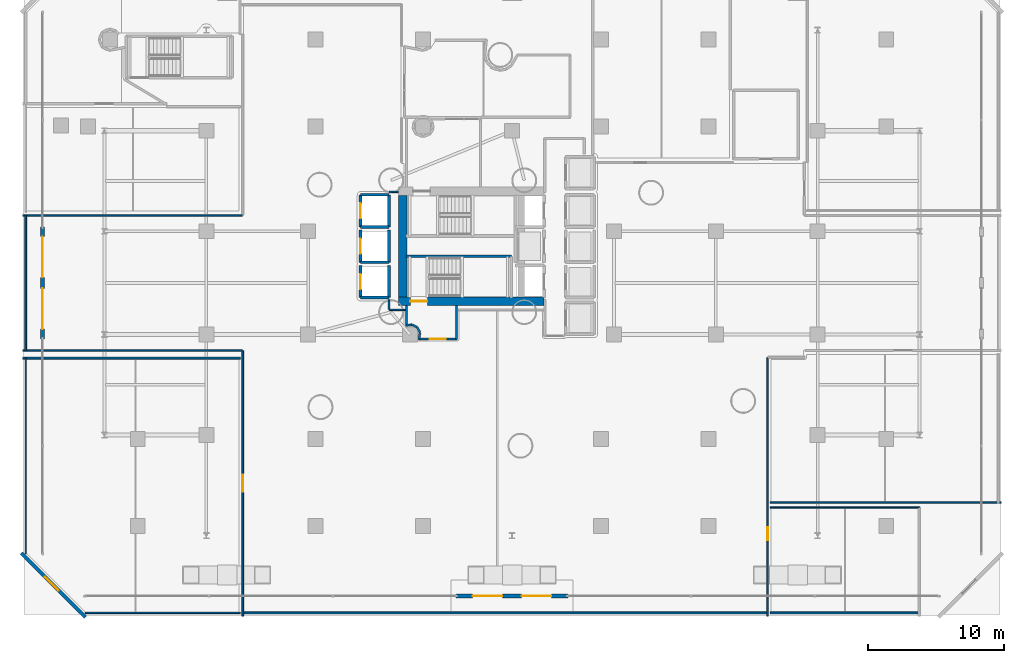
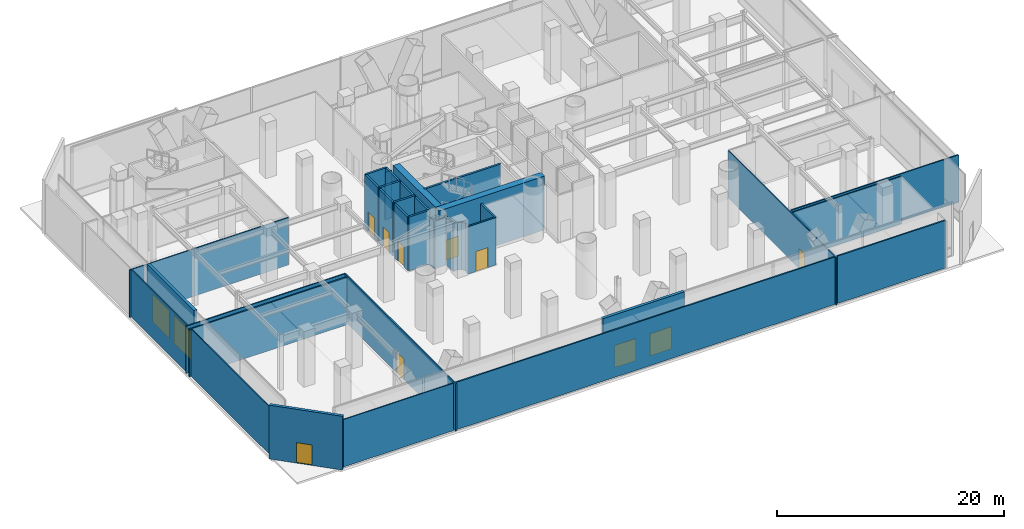
# One storey, part 28 of 40: 38 walls, 12 doors, 12 openings.
"""IFC4 building model written with IfcOpenShell, lengths in metres."""

from ifc_helpers import new_model, si_unit, direction, frame, frame_2d, origin, place, context, subcontext, project, spatial, rectangle, extrude, material, layer, layer_set, type_object, element, fill, save


model = new_model("IFC4")

# Units and contexts
model_context = context("Model", 3, precision=1e-05, world=origin(), true_north=direction((0.0, 1.0)))
body_context = subcontext(model_context, "Body", "Model", "MODEL_VIEW")
ifc_project = project(units=[si_unit("LENGTHUNIT", "METRE"), si_unit("AREAUNIT", "SQUARE_METRE"), si_unit("VOLUMEUNIT", "CUBIC_METRE"), si_unit("PLANEANGLEUNIT", "RADIAN"), si_unit("MASSUNIT", "GRAM", prefix="KILO")], contexts=[model_context])

# Site, building, storey
site_placement = place(None, origin())
site = spatial("IfcSite", under=ifc_project, at=site_placement, CompositionType="ELEMENT")
building_placement = place(site_placement, origin())
building = spatial("IfcBuilding", under=site, at=building_placement, Name="Qianvela Tower", CompositionType="ELEMENT")
storey_placement = place(building_placement, origin())
storey = spatial("IfcBuildingStorey", under=building, at=storey_placement, Name="L00", CompositionType="ELEMENT", Elevation=0.0)

# Wall, openings, doors
ifc_material_1 = material(Name="Terracotta Cladding on Concrete C40", Category="masonry")
ifc_layer_1 = layer(ifc_material_1, 0.280029296875)
ifc_layer_set_1 = layer_set([ifc_layer_1], Name="Terracotta Cladding on Concrete C40")
wall_type_1 = type_object("IfcWallType", Name="TERRACOTTA-WALL-280", PredefinedType="SOLIDWALL", material=ifc_layer_set_1)
wall_1_placement = place(storey_placement, frame((33.3701171875, 2.949951171875, 0.0), z_axis=(0.0, 0.0, 1.0), x_axis=(1.0, 0.0, 0.0)))
wall_1 = element("IfcWall", 1, at=wall_1_placement, inside=storey, type_object=wall_type_1, Name="L00 Concourse Entrance Portal Wall 1", PredefinedType="SOLIDWALL", context=body_context, shape_type="SweptSolid", body=[
    extrude(rectangle(XDim=8.259765625, YDim=0.280029296875, at=frame_2d((4.1298828125, 0.0))), origin(), (0.0, 0.0, 1.0), 5.780029296875),
])
opening_1_placement = place(wall_1_placement, frame((1.22998046875, 0.0, 0.0)))
opening_1 = element("IfcOpeningElement", 2, at=opening_1_placement, cuts=wall_1, Name="Opening ED-01", PredefinedType="OPENING", context=body_context, shape_type="SweptSolid", body=[
    extrude(rectangle(XDim=2.199951171875, YDim=2.39990234375, at=frame_2d((1.10009765625, 1.199951171875))), frame((0.0, 0.14990234375, 0.0), z_axis=(0.0, -1.0, 0.0), x_axis=(1.0, 0.0, 0.0)), (0.0, 0.0, 1.0), 0.300048828125),
])
opening_2_placement = place(wall_1_placement, frame((4.830078125, 0.0, 0.0)))
opening_2 = element("IfcOpeningElement", 3, at=opening_2_placement, cuts=wall_1, Name="Opening ED-01", PredefinedType="OPENING", context=body_context, shape_type="SweptSolid", body=[
    extrude(rectangle(XDim=2.199951171875, YDim=2.39990234375, at=frame_2d((1.10009765625, 1.199951171875))), frame((0.0, 0.14990234375, 0.0), z_axis=(0.0, -1.0, 0.0), x_axis=(1.0, 0.0, 0.0)), (0.0, 0.0, 1.0), 0.300048828125),
])
ifc_material_2 = material(Name="Thermally Broken Anodised Aluminium and Safety Glass", Category="aluminium")
door_type_1 = type_object("IfcDoorType", Name="DT-EXT-CONC-2200", OperationType="DOUBLE_DOOR_SINGLE_SWING", PredefinedType="DOOR", material=ifc_material_2)
door_1_placement = place(opening_1_placement, origin())
door_1 = element("IfcDoor", 4, at=door_1_placement, inside=storey, type_object=door_type_1, Name="L00 Street Concourse Main Entrance 1A", OperationType="DOUBLE_DOOR_SINGLE_SWING", OverallHeight=2.39990234375, OverallWidth=2.199951171875, PredefinedType="DOOR", context=body_context, shape_type="SweptSolid", body=[
    extrude(rectangle(XDim=2.199951171875, YDim=2.39990234375, at=frame_2d((1.10009765625, 1.199951171875))), frame((0.0, 0.02490234375, 0.0), z_axis=(0.0, -1.0, 0.0), x_axis=(1.0, 0.0, 0.0)), (0.0, 0.0, 1.0), 0.050048828125),
])
fill(opening_1, door_1)
door_2_placement = place(opening_2_placement, origin())
door_2 = element("IfcDoor", 5, at=door_2_placement, inside=storey, type_object=door_type_1, Name="L00 Street Concourse Main Entrance 1B", OperationType="DOUBLE_DOOR_SINGLE_SWING", OverallHeight=2.39990234375, OverallWidth=2.199951171875, PredefinedType="DOOR", context=body_context, shape_type="SweptSolid", body=[
    extrude(rectangle(XDim=2.199951171875, YDim=2.39990234375, at=frame_2d((1.10009765625, 1.199951171875))), frame((0.0, 0.02490234375, 0.0), z_axis=(0.0, -1.0, 0.0), x_axis=(1.0, 0.0, 0.0)), (0.0, 0.0, 1.0), 0.050048828125),
])
fill(opening_2, door_2)

wall_2_placement = place(storey_placement, frame((2.949951171875, 30.1298828125, 0.0), z_axis=(0.0, 0.0, 1.0), x_axis=(0.0, -1.0, 0.0)))
wall_2 = element("IfcWall", 6, at=wall_2_placement, inside=storey, type_object=wall_type_1, Name="L00 Concourse Entrance Portal Wall 7", PredefinedType="SOLIDWALL", context=body_context, shape_type="SweptSolid", body=[
    extrude(rectangle(XDim=8.259765625, YDim=0.280029296875, at=frame_2d((4.1298828125, 0.0))), origin(), (0.0, 0.0, 1.0), 5.780029296875),
])
opening_3_placement = place(wall_2_placement, frame((0.72998046875, 0.0, 0.0)))
opening_3 = element("IfcOpeningElement", 7, at=opening_3_placement, cuts=wall_2, Name="Opening GT-01", PredefinedType="OPENING", context=body_context, shape_type="SweptSolid", body=[
    extrude(rectangle(XDim=3.0, YDim=3.0, at=frame_2d((1.5, 1.5))), frame((0.0, 0.14990234375, 0.0), z_axis=(0.0, -1.0, 0.0), x_axis=(1.0, 0.0, 0.0)), (0.0, 0.0, 1.0), 0.300048828125),
])
opening_4_placement = place(wall_2_placement, frame((4.530029296875, 0.0, 0.0)))
opening_4 = element("IfcOpeningElement", 8, at=opening_4_placement, cuts=wall_2, Name="Opening GT-01", PredefinedType="OPENING", context=body_context, shape_type="SweptSolid", body=[
    extrude(rectangle(XDim=3.0, YDim=3.0, at=frame_2d((1.5, 1.5))), frame((0.0, 0.14990234375, 0.0), z_axis=(0.0, -1.0, 0.0), x_axis=(1.0, 0.0, 0.0)), (0.0, 0.0, 1.0), 0.300048828125),
])
ifc_material_3 = material(Name="Galvanised Structural Steel Q355B", Category="steel")
door_type_2 = type_object("IfcDoorType", Name="GT-CONC-FLOOD-3600", OperationType="SLIDING_TO_LEFT", PredefinedType="GATE", material=ifc_material_3)
door_3_placement = place(opening_3_placement, origin())
door_3 = element("IfcDoor", 9, at=door_3_placement, inside=storey, type_object=door_type_2, Name="L00 Service and Flood Barrier Gate 7.1", OperationType="SLIDING_TO_LEFT", OverallHeight=3.0, OverallWidth=3.0, PredefinedType="GATE", context=body_context, shape_type="SweptSolid", body=[
    extrude(rectangle(XDim=3.0, YDim=3.0, at=frame_2d((1.5, 1.5))), frame((0.0, 0.02490234375, 0.0), z_axis=(0.0, -1.0, 0.0), x_axis=(1.0, 0.0, 0.0)), (0.0, 0.0, 1.0), 0.050048828125),
])
fill(opening_3, door_3)
door_4_placement = place(opening_4_placement, origin())
door_4 = element("IfcDoor", 10, at=door_4_placement, inside=storey, type_object=door_type_2, Name="L00 Service and Flood Barrier Gate 7.2", OperationType="SLIDING_TO_LEFT", OverallHeight=3.0, OverallWidth=3.0, PredefinedType="GATE", context=body_context, shape_type="SweptSolid", body=[
    extrude(rectangle(XDim=3.0, YDim=3.0, at=frame_2d((1.5, 1.5))), frame((0.0, 0.02490234375, 0.0), z_axis=(0.0, -1.0, 0.0), x_axis=(1.0, 0.0, 0.0)), (0.0, 0.0, 1.0), 0.050048828125),
])
fill(opening_4, door_4)

# Wall, opening, door
wall_3_placement = place(storey_placement, frame((1.386962890625, 6.113037109375, 0.0), z_axis=(0.0, 0.0, 1.0), x_axis=(0.707106781187, -0.707106781187, 0.0)))
wall_3 = element("IfcWall", 11, at=wall_3_placement, inside=storey, type_object=wall_type_1, Name="L00 Terracotta Corner Wall 8", PredefinedType="SOLIDWALL", context=body_context, shape_type="SweptSolid", body=[
    extrude(rectangle(XDim=6.68359375, YDim=0.280029296875, at=frame_2d((3.341796875, 0.0))), origin(), (0.0, 0.0, 1.0), 5.780029296875),
])
opening_5_placement = place(wall_3_placement, frame((2.48193359375, 0.0, 0.0)))
opening_5 = element("IfcOpeningElement", 12, at=opening_5_placement, cuts=wall_3, Name="Opening ED-03", PredefinedType="OPENING", context=body_context, shape_type="SweptSolid", body=[
    extrude(rectangle(XDim=1.39990234375, YDim=2.199951171875, at=frame_2d((0.699951171875, 1.10009765625))), frame((0.0, 0.14990234375, 0.0), z_axis=(0.0, -1.0, 0.0), x_axis=(1.0, 0.0, 0.0)), (0.0, 0.0, 1.0), 0.300048828125),
])
ifc_material_4 = material(Name="Galvanised Insulated Steel Q355B", Category="steel")
door_type_3 = type_object("IfcDoorType", Name="DT-EXT-EXIT-1400", OperationType="NOTDEFINED", PredefinedType="DOOR", material=ifc_material_4)
door_5_placement = place(opening_5_placement, origin())
door_5 = element("IfcDoor", 13, at=door_5_placement, inside=storey, type_object=door_type_3, Name="L00 Street Exit Door 8", OperationType="DOUBLE_DOOR_SINGLE_SWING", OverallHeight=2.199951171875, OverallWidth=1.39990234375, PredefinedType="DOOR", context=body_context, shape_type="SweptSolid", body=[
    extrude(rectangle(XDim=1.39990234375, YDim=2.199951171875, at=frame_2d((0.699951171875, 1.10009765625))), frame((0.0, 0.02490234375, 0.0), z_axis=(0.0, -1.0, 0.0), x_axis=(1.0, 0.0, 0.0)), (0.0, 0.0, 1.0), 0.050048828125),
])
fill(opening_5, door_5)

ifc_material_5 = material(Name="Concrete C60", Category="concrete")
ifc_layer_2 = layer(ifc_material_5, 0.64990234375)
ifc_layer_set_2 = layer_set([ifc_layer_2], Name="Concrete C60")
wall_type_2 = type_object("IfcWallType", Name="WT-CORE-650", PredefinedType="SHEAR", material=ifc_layer_set_2)
wall_4_placement = place(storey_placement, frame((29.1298828125, 24.655029296875, 0.0), z_axis=(0.0, 0.0, 1.0), x_axis=(1.0, 0.0, 0.0)))
wall_4 = element("IfcWall", 14, at=wall_4_placement, inside=storey, type_object=wall_type_2, Name="L00 South Core Shear Wall", PredefinedType="SHEAR", context=body_context, shape_type="SweptSolid", body=[
    extrude(rectangle(XDim=10.72021484375, YDim=0.64990234375, at=frame_2d((5.360107421875, 0.0))), origin(), (0.0, 0.0, 1.0), 5.780029296875),
])
opening_6_placement = place(wall_4_placement, frame((0.89501953125, 0.0, 0.0)))
opening_6 = element("IfcOpeningElement", 15, at=opening_6_placement, cuts=wall_4, Name="Opening D-ST1", PredefinedType="OPENING", context=body_context, shape_type="SweptSolid", body=[
    extrude(rectangle(XDim=1.25, YDim=2.14990234375, at=frame_2d((0.625, 1.074951171875))), frame((0.0, 0.3349609375, 0.0), z_axis=(0.0, -1.0, 0.0), x_axis=(1.0, 0.0, 0.0)), (0.0, 0.0, 1.0), 0.669921875),
])
ifc_material_6 = material(Name="Galvanised Fire Steel Q355B", Category="steel")
door_type_4 = type_object("IfcDoorType", Name="DT-STAIR-FD90", OperationType="NOTDEFINED", PredefinedType="DOOR", material=ifc_material_6)
door_6_placement = place(opening_6_placement, origin())
door_6 = element("IfcDoor", 16, at=door_6_placement, inside=storey, type_object=door_type_4, Name="L00 Stair ST-2 Exit Door", OperationType="SINGLE_SWING_RIGHT", OverallHeight=2.14990234375, OverallWidth=1.25, PredefinedType="DOOR", context=body_context, shape_type="SweptSolid", body=[
    extrude(rectangle(XDim=1.25, YDim=2.14990234375, at=frame_2d((0.625, 1.074951171875))), frame((0.0, 0.02490234375, 0.0), z_axis=(0.0, -1.0, 0.0), x_axis=(1.0, 0.0, 0.0)), (0.0, 0.0, 1.0), 0.050048828125),
])
fill(opening_6, door_6)

# Walls
wall_5_placement = place(storey_placement, frame((29.455078125, 24.97998046875, 0.0), z_axis=(0.0, 0.0, 1.0), x_axis=(0.0, 1.0, 0.0)))
element("IfcWall", 17, at=wall_5_placement, inside=storey, type_object=wall_type_2, Name="L00 West Core Shear Wall", PredefinedType="SHEAR", context=body_context, shape_type="SweptSolid", body=[
    extrude(rectangle(XDim=7.43994140625, YDim=0.64990234375, at=frame_2d((3.719970703125, 0.0))), origin(), (0.0, 0.0, 1.0), 5.780029296875),
])
ifc_material_7 = material(Name="Fire-Rated Gypsum and Concrete Block", Category="concrete")
ifc_layer_3 = layer(ifc_material_7, 0.159912109375)
ifc_layer_set_3 = layer_set([ifc_layer_3], Name="Fire-Rated Gypsum and Concrete Block")
wall_type_3 = type_object("IfcWallType", Name="WT-CORR-160", PredefinedType="PARTITIONING", material=ifc_layer_set_3)
wall_6_placement = place(storey_placement, frame((30.644775390625, 21.844970703125, 0.0), z_axis=(0.0, 0.0, 1.0), x_axis=(0.16559769087, 0.986193391165, 0.0)))
element("IfcWall", 18, at=wall_6_placement, inside=storey, type_object=wall_type_3, Name="L00 Partition 14", PredefinedType="PARTITIONING", context=body_context, shape_type="SweptSolid", body=[
    extrude(rectangle(XDim=0.495361328125, YDim=0.159912109375, at=frame_2d((0.24755859375, 0.0))), origin(), (0.0, 0.0, 1.0), 5.10009765625),
])
wall_7_placement = place(storey_placement, frame((30.7236328125, 22.35302734375, 0.0), z_axis=(0.0, 0.0, 1.0), x_axis=(-0.471202615726, 0.882024996773, 0.0)))
element("IfcWall", 19, at=wall_7_placement, inside=storey, type_object=wall_type_3, Name="L00 Partition 15", PredefinedType="PARTITIONING", context=body_context, shape_type="SweptSolid", body=[
    extrude(rectangle(XDim=0.412353515625, YDim=0.159912109375, at=frame_2d((0.2060546875, 0.0))), origin(), (0.0, 0.0, 1.0), 5.10009765625),
])
wall_8_placement = place(storey_placement, frame((30.5166015625, 22.7294921875, 0.0), z_axis=(0.0, 0.0, 1.0), x_axis=(-0.882139655073, 0.470987928665, 0.0)))
element("IfcWall", 20, at=wall_8_placement, inside=storey, type_object=wall_type_3, Name="L00 Partition 16", PredefinedType="PARTITIONING", context=body_context, shape_type="SweptSolid", body=[
    extrude(rectangle(XDim=0.412109375, YDim=0.159912109375, at=frame_2d((0.2060546875, 0.0))), origin(), (0.0, 0.0, 1.0), 5.10009765625),
])
wall_9_placement = place(storey_placement, frame((30.134521484375, 22.927001953125, 0.0), z_axis=(0.0, 0.0, 1.0), x_axis=(-0.992106976416, -0.125394367286, 0.0)))
element("IfcWall", 21, at=wall_9_placement, inside=storey, type_object=wall_type_3, Name="L00 Partition 17", PredefinedType="PARTITIONING", context=body_context, shape_type="SweptSolid", body=[
    extrude(rectangle(XDim=0.44189453125, YDim=0.159912109375, at=frame_2d((0.220947265625, 0.0))), origin(), (0.0, 0.0, 1.0), 5.10009765625),
])
wall_10_placement = place(storey_placement, frame((29.73095703125, 22.8408203125, 0.0), z_axis=(0.0, 0.0, 1.0), x_axis=(0.0, 1.0, 0.0)))
element("IfcWall", 22, at=wall_10_placement, inside=storey, type_object=wall_type_3, Name="L00 Partition 18", PredefinedType="PARTITIONING", context=body_context, shape_type="SweptSolid", body=[
    extrude(rectangle(XDim=1.501220703125, YDim=0.159912109375, at=frame_2d((0.75048828125, 0.0))), origin(), (0.0, 0.0, 1.0), 5.10009765625),
])
wall_11_placement = place(storey_placement, frame((33.4189453125, 24.342041015625, 0.0), z_axis=(0.0, 0.0, 1.0), x_axis=(0.0, -1.0, 0.0)))
element("IfcWall", 23, at=wall_11_placement, inside=storey, type_object=wall_type_3, Name="L00 Partition 20", PredefinedType="PARTITIONING", context=body_context, shape_type="SweptSolid", body=[
    extrude(rectangle(XDim=2.491943359375, YDim=0.159912109375, at=frame_2d((1.24609375, 0.0))), origin(), (0.0, 0.0, 1.0), 5.10009765625),
])

# Wall, opening, door
wall_12_placement = place(storey_placement, frame((33.449951171875, 21.881103515625, 0.0), z_axis=(0.0, 0.0, 1.0), x_axis=(-1.0, 0.0, 0.0)))
wall_12 = element("IfcWall", 24, at=wall_12_placement, inside=storey, type_object=wall_type_3, Name="L00 Partition 21", PredefinedType="PARTITIONING", context=body_context, shape_type="SweptSolid", body=[
    extrude(rectangle(XDim=2.8359375, YDim=0.159912109375, at=frame_2d((1.41796875, 0.0))), origin(), (0.0, 0.0, 1.0), 5.10009765625),
])
opening_7_placement = place(wall_12_placement, frame((0.818115234375, 0.0, 0.0)))
opening_7 = element("IfcOpeningElement", 25, at=opening_7_placement, cuts=wall_12, Name="Opening D-LB1", PredefinedType="OPENING", context=body_context, shape_type="SweptSolid", body=[
    extrude(rectangle(XDim=1.199951171875, YDim=2.14990234375, at=frame_2d((0.60009765625, 1.074951171875))), frame((0.0, 0.08984375, 0.0), z_axis=(0.0, -1.0, 0.0), x_axis=(1.0, 0.0, 0.0)), (0.0, 0.0, 1.0), 0.179931640625),
])
ifc_material_8 = material(Name="Glazed Fire-Rated Steel Frame", Category="steel")
door_type_5 = type_object("IfcDoorType", Name="DT-LOBBY-FD90", OperationType="NOTDEFINED", PredefinedType="DOOR", material=ifc_material_8)
door_7_placement = place(opening_7_placement, origin())
door_7 = element("IfcDoor", 26, at=door_7_placement, inside=storey, type_object=door_type_5, Name="L00 Door L00 Firefighting Lobby South to Street Concourse", OperationType="SINGLE_SWING_LEFT", OverallHeight=2.14990234375, OverallWidth=1.199951171875, PredefinedType="DOOR", context=body_context, shape_type="SweptSolid", body=[
    extrude(rectangle(XDim=1.199951171875, YDim=2.14990234375, at=frame_2d((0.60009765625, 1.074951171875))), frame((0.0, 0.02490234375, 0.0), z_axis=(0.0, -1.0, 0.0), x_axis=(1.0, 0.0, 0.0)), (0.0, 0.0, 1.0), 0.050048828125),
])
fill(opening_7, door_7)

# Walls
ifc_material_9 = material(Name="Lightweight Gypsum Room Partition")
ifc_layer_4 = layer(ifc_material_9, 0.10498046875)
ifc_layer_set_4 = layer_set([ifc_layer_4], Name="Lightweight Gypsum Room Partition")
wall_type_4 = type_object("IfcWallType", Name="WT-PART-105", PredefinedType="PARTITIONING", material=ifc_layer_set_4)
wall_13_placement = place(storey_placement, frame((1.47998046875, 30.968994140625, 0.0), z_axis=(0.0, 0.0, 1.0), x_axis=(1.0, 0.0, 0.0)))
element("IfcWall", 27, at=wall_13_placement, inside=storey, type_object=wall_type_4, Name="L00 Partition 67", PredefinedType="PARTITIONING", context=body_context, shape_type="SweptSolid", body=[
    extrude(rectangle(XDim=16.169921875, YDim=0.10498046875, at=frame_2d((8.0849609375, 0.0))), origin(), (0.0, 0.0, 1.0), 5.10009765625),
])
wall_14_placement = place(storey_placement, frame((28.47998046875, 24.01904296875, 0.0), z_axis=(0.0, 0.0, 1.0), x_axis=(1.0, 0.0, 0.0)))
element("IfcWall", 28, at=wall_14_placement, inside=storey, type_object=wall_type_4, Name="L00 Partition 76", PredefinedType="PARTITIONING", context=body_context, shape_type="SweptSolid", body=[
    extrude(rectangle(XDim=1.157958984375, YDim=0.10498046875, at=frame_2d((0.5791015625, 0.0))), origin(), (0.0, 0.0, 1.0), 5.10009765625),
])

# Wall, opening, door
wall_15_placement = place(storey_placement, frame((56.319091796875, 20.5, 0.0), z_axis=(0.0, 0.0, 1.0), x_axis=(0.0, -1.0, 0.0)))
wall_15 = element("IfcWall", 29, at=wall_15_placement, inside=storey, type_object=wall_type_4, Name="L00 Partition 100", PredefinedType="PARTITIONING", context=body_context, shape_type="SweptSolid", body=[
    extrude(rectangle(XDim=19.02001953125, YDim=0.10498046875, at=frame_2d((9.510009765625, 0.0))), origin(), (0.0, 0.0, 1.0), 5.10009765625),
])
opening_8_placement = place(wall_15_placement, frame((12.4765625, 0.0, 0.0)))
opening_8 = element("IfcOpeningElement", 30, at=opening_8_placement, cuts=wall_15, Name="Opening D-RM1", PredefinedType="OPENING", context=body_context, shape_type="SweptSolid", body=[
    extrude(rectangle(XDim=0.97998046875, YDim=2.10009765625, at=frame_2d((0.489990234375, 1.050048828125))), frame((0.0, 0.0625, 0.0), z_axis=(0.0, -1.0, 0.0), x_axis=(1.0, 0.0, 0.0)), (0.0, 0.0, 1.0), 0.125),
])
ifc_material_10 = material(Name="Solid Core Acoustic Timber Fire Door", Category="wood")
door_type_6 = type_object("IfcDoorType", Name="DT-ROOM-FD60", OperationType="NOTDEFINED", PredefinedType="DOOR", material=ifc_material_10)
door_8_placement = place(opening_8_placement, origin())
door_8 = element("IfcDoor", 31, at=door_8_placement, inside=storey, type_object=door_type_6, Name="L00 Door Fire Command Room to Street Concourse", OperationType="SINGLE_SWING_RIGHT", OverallHeight=2.10009765625, OverallWidth=0.97998046875, PredefinedType="DOOR", context=body_context, shape_type="SweptSolid", body=[
    extrude(rectangle(XDim=0.97998046875, YDim=2.10009765625, at=frame_2d((0.489990234375, 1.050048828125))), frame((0.0, 0.02490234375, 0.0), z_axis=(0.0, -1.0, 0.0), x_axis=(1.0, 0.0, 0.0)), (0.0, 0.0, 1.0), 0.050048828125),
])
fill(opening_8, door_8)

# Walls
wall_16_placement = place(storey_placement, frame((17.64990234375, 21.031005859375, 0.0), z_axis=(0.0, 0.0, 1.0), x_axis=(-1.0, 0.0, 0.0)))
element("IfcWall", 32, at=wall_16_placement, inside=storey, type_object=wall_type_4, Name="L00 Partition 103", PredefinedType="PARTITIONING", context=body_context, shape_type="SweptSolid", body=[
    extrude(rectangle(XDim=16.169921875, YDim=0.10498046875, at=frame_2d((8.0849609375, 0.0))), origin(), (0.0, 0.0, 1.0), 5.10009765625),
])
wall_17_placement = place(storey_placement, frame((56.5, 9.468994140625, 0.0), z_axis=(0.0, 0.0, 1.0), x_axis=(1.0, 0.0, 0.0)))
element("IfcWall", 33, at=wall_17_placement, inside=storey, type_object=wall_type_4, Name="L00 Partition 106", PredefinedType="PARTITIONING", context=body_context, shape_type="SweptSolid", body=[
    extrude(rectangle(XDim=11.0, YDim=0.10498046875, at=frame_2d((5.5, 0.0))), origin(), (0.0, 0.0, 1.0), 5.10009765625),
])
wall_18_placement = place(storey_placement, frame((1.7109375, 6.07470703125, 0.0), z_axis=(0.0, 0.0, 1.0), x_axis=(0.0, 1.0, 0.0)))
element("IfcWall", 34, at=wall_18_placement, inside=storey, type_object=wall_type_4, Name="L00 Partition 109", PredefinedType="PARTITIONING", context=body_context, shape_type="SweptSolid", body=[
    extrude(rectangle(XDim=14.42529296875, YDim=0.10498046875, at=frame_2d((7.212646484375, 0.0))), origin(), (0.0, 0.0, 1.0), 5.10009765625),
])
wall_19_placement = place(storey_placement, frame((17.5, 1.7109375, 0.0), z_axis=(0.0, 0.0, 1.0), x_axis=(-1.0, 0.0, 0.0)))
element("IfcWall", 35, at=wall_19_placement, inside=storey, type_object=wall_type_4, Name="L00 Partition 112", PredefinedType="PARTITIONING", context=body_context, shape_type="SweptSolid", body=[
    extrude(rectangle(XDim=11.42529296875, YDim=0.10498046875, at=frame_2d((5.712646484375, 0.0))), origin(), (0.0, 0.0, 1.0), 5.10009765625),
])
ifc_material_11 = material(Name="Insulated Gypsum Stud Partition")
ifc_layer_5 = layer(ifc_material_11, 0.1201171875)
ifc_layer_set_5 = layer_set([ifc_layer_5], Name="Insulated Gypsum Stud Partition")
wall_type_5 = type_object("IfcWallType", Name="WT-PART-120", PredefinedType="PARTITIONING", material=ifc_layer_set_5)
wall_20_placement = place(storey_placement, frame((1.7109375, 21.0, 0.0), z_axis=(0.0, 0.0, 1.0), x_axis=(0.0, 1.0, 0.0)))
element("IfcWall", 36, at=wall_20_placement, inside=storey, type_object=wall_type_5, Name="L00 Partition 66", PredefinedType="PARTITIONING", context=body_context, shape_type="SweptSolid", body=[
    extrude(rectangle(XDim=10.0, YDim=0.1201171875, at=frame_2d((5.0, 0.0))), origin(), (0.0, 0.0, 1.0), 5.10009765625),
])
wall_21_placement = place(storey_placement, frame((29.1298828125, 32.700927734375, 0.0), z_axis=(0.0, 0.0, 1.0), x_axis=(-0.999941987134, -0.010771367904, 0.0)))
element("IfcWall", 37, at=wall_21_placement, inside=storey, type_object=wall_type_5, Name="L00 Partition 72 seg 1", PredefinedType="PARTITIONING", context=body_context, shape_type="SweptSolid", body=[
    extrude(rectangle(XDim=0.679931640625, YDim=0.1201171875, at=frame_2d((0.33984375, 0.0))), origin(), (0.0, 0.0, 1.0), 5.10009765625),
])
wall_22_placement = place(storey_placement, frame((28.448974609375, 24.760009765625, 0.0), z_axis=(0.0, 0.0, 1.0), x_axis=(0.0, -1.0, 0.0)))
element("IfcWall", 38, at=wall_22_placement, inside=storey, type_object=wall_type_5, Name="L00 Partition 75", PredefinedType="PARTITIONING", context=body_context, shape_type="SweptSolid", body=[
    extrude(rectangle(XDim=0.7099609375, YDim=0.1201171875, at=frame_2d((0.35498046875, 0.0))), origin(), (0.0, 0.0, 1.0), 5.10009765625),
])

# Wall, opening, door
wall_23_placement = place(storey_placement, frame((17.680908203125, 1.47998046875, 0.0), z_axis=(0.0, 0.0, 1.0), x_axis=(0.0, 1.0, 0.0)))
wall_23 = element("IfcWall", 39, at=wall_23_placement, inside=storey, type_object=wall_type_5, Name="L00 Partition 102", PredefinedType="PARTITIONING", context=body_context, shape_type="SweptSolid", body=[
    extrude(rectangle(XDim=19.52001953125, YDim=0.1201171875, at=frame_2d((9.760009765625, 0.0))), origin(), (0.0, 0.0, 1.0), 5.10009765625),
])
opening_9_placement = place(wall_23_placement, frame((9.135009765625, 0.0, 0.0)))
opening_9 = element("IfcOpeningElement", 40, at=opening_9_placement, cuts=wall_23, Name="Opening D-LG1", PredefinedType="OPENING", context=body_context, shape_type="SweptSolid", body=[
    extrude(rectangle(XDim=1.25, YDim=2.199951171875, at=frame_2d((0.625, 1.10009765625))), frame((0.0, 0.070068359375, 0.0), z_axis=(0.0, -1.0, 0.0), x_axis=(1.0, 0.0, 0.0)), (0.0, 0.0, 1.0), 0.14013671875),
])
ifc_material_12 = material(Name="Anodised Aluminium Acoustic Glass Door", Category="aluminium")
door_type_7 = type_object("IfcDoorType", Name="DT-LOUNGE-1250", OperationType="NOTDEFINED", PredefinedType="DOOR", material=ifc_material_12)
door_9_placement = place(opening_9_placement, origin())
door_9 = element("IfcDoor", 41, at=door_9_placement, inside=storey, type_object=door_type_7, Name="L00 Door Concourse Bakery and Cafe to Street Concourse", OperationType="SINGLE_SWING_LEFT", OverallHeight=2.199951171875, OverallWidth=1.25, PredefinedType="DOOR", context=body_context, shape_type="SweptSolid", body=[
    extrude(rectangle(XDim=1.25, YDim=2.199951171875, at=frame_2d((0.625, 1.10009765625))), frame((0.0, 0.02490234375, 0.0), z_axis=(0.0, -1.0, 0.0), x_axis=(1.0, 0.0, 0.0)), (0.0, 0.0, 1.0), 0.050048828125),
])
fill(opening_9, door_9)

# Walls
wall_24_placement = place(storey_placement, frame((73.52001953125, 9.8310546875, 0.0), z_axis=(0.0, 0.0, 1.0), x_axis=(-1.0, 0.0, 0.0)))
element("IfcWall", 42, at=wall_24_placement, inside=storey, type_object=wall_type_5, Name="L00 Partition 114", PredefinedType="PARTITIONING", context=body_context, shape_type="SweptSolid", body=[
    extrude(rectangle(XDim=17.02001953125, YDim=0.1201171875, at=frame_2d((8.510009765625, 0.0))), origin(), (0.0, 0.0, 1.0), 5.10009765625),
])
ifc_material_13 = material(Name="Acoustic Double Gypsum Stud Partition")
ifc_layer_6 = layer(ifc_material_13, 0.139892578125)
ifc_layer_set_6 = layer_set([ifc_layer_6], Name="Acoustic Double Gypsum Stud Partition")
wall_type_6 = type_object("IfcWallType", Name="WT-ROOM-140", PredefinedType="PARTITIONING", material=ifc_layer_set_6)
wall_25_placement = place(storey_placement, frame((56.35009765625, 1.7109375, 0.0), z_axis=(0.0, 0.0, 1.0), x_axis=(-1.0, 0.0, 0.0)))
element("IfcWall", 43, at=wall_25_placement, inside=storey, type_object=wall_type_6, Name="L00 Partition 101", PredefinedType="PARTITIONING", context=body_context, shape_type="SweptSolid", body=[
    extrude(rectangle(XDim=38.7001953125, YDim=0.139892578125, at=frame_2d((19.35009765625, 0.0))), origin(), (0.0, 0.0, 1.0), 5.10009765625),
])
wall_26_placement = place(storey_placement, frame((67.5, 1.7109375, 0.0), z_axis=(0.0, 0.0, 1.0), x_axis=(-1.0, 0.0, 0.0)))
element("IfcWall", 44, at=wall_26_placement, inside=storey, type_object=wall_type_6, Name="L00 Partition 104", PredefinedType="PARTITIONING", context=body_context, shape_type="SweptSolid", body=[
    extrude(rectangle(XDim=11.0, YDim=0.139892578125, at=frame_2d((5.5, 0.0))), origin(), (0.0, 0.0, 1.0), 5.10009765625),
])
wall_27_placement = place(storey_placement, frame((1.47998046875, 20.468994140625, 0.0), z_axis=(0.0, 0.0, 1.0), x_axis=(1.0, 0.0, 0.0)))
element("IfcWall", 45, at=wall_27_placement, inside=storey, type_object=wall_type_6, Name="L00 Partition 110", PredefinedType="PARTITIONING", context=body_context, shape_type="SweptSolid", body=[
    extrude(rectangle(XDim=16.02001953125, YDim=0.139892578125, at=frame_2d((8.010009765625, 0.0))), origin(), (0.0, 0.0, 1.0), 5.10009765625),
])
ifc_material_14 = material(Name="Concrete C50", Category="concrete")
ifc_layer_7 = layer(ifc_material_14, 0.199951171875)
ifc_layer_set_7 = layer_set([ifc_layer_7], Name="Concrete C50")
wall_type_7 = type_object("IfcWallType", Name="WT-SHAFT-200", PredefinedType="SOLIDWALL", material=ifc_layer_set_7)
wall_28_placement = place(storey_placement, frame((29.699951171875, 27.9599609375, 0.0), z_axis=(0.0, 0.0, 1.0), x_axis=(1.0, 0.0, 0.0)))
element("IfcWall", 46, at=wall_28_placement, inside=storey, type_object=wall_type_7, Name="L00 Stair ST-2 North Wall", PredefinedType="SOLIDWALL", context=body_context, shape_type="SweptSolid", body=[
    extrude(rectangle(XDim=7.75, YDim=0.199951171875, at=frame_2d((3.875, 0.0))), origin(), (0.0, 0.0, 1.0), 5.780029296875),
])
wall_29_placement = place(storey_placement, frame((28.449951171875, 30.1201171875, 0.0), z_axis=(0.0, 0.0, 1.0), x_axis=(0.0, 1.0, 0.0)))
element("IfcWall", 47, at=wall_29_placement, inside=storey, type_object=wall_type_7, Name="L00 Lift PL-L1 E Shaft Wall", PredefinedType="SOLIDWALL", context=body_context, shape_type="SweptSolid", body=[
    extrude(rectangle(XDim=2.35986328125, YDim=0.199951171875, at=frame_2d((1.179931640625, 0.0))), origin(), (0.0, 0.0, 1.0), 5.780029296875),
])

# Wall, opening, door
wall_30_placement = place(storey_placement, frame((26.35009765625, 30.1201171875, 0.0), z_axis=(0.0, 0.0, 1.0), x_axis=(0.0, 1.0, 0.0)))
wall_30 = element("IfcWall", 48, at=wall_30_placement, inside=storey, type_object=wall_type_7, Name="L00 Lift PL-L1 W Shaft Wall", PredefinedType="SOLIDWALL", context=body_context, shape_type="SweptSolid", body=[
    extrude(rectangle(XDim=2.35986328125, YDim=0.199951171875, at=frame_2d((1.179931640625, 0.0))), origin(), (0.0, 0.0, 1.0), 5.780029296875),
])
opening_10_placement = place(wall_30_placement, frame((0.6298828125, 0.0, 0.0)))
opening_10 = element("IfcOpeningElement", 49, at=opening_10_placement, cuts=wall_30, Name="Opening LD-01", PredefinedType="OPENING", context=body_context, shape_type="SweptSolid", body=[
    extrude(rectangle(XDim=1.10009765625, YDim=2.14990234375, at=frame_2d((0.550048828125, 1.074951171875))), frame((0.0, 0.10986328125, 0.0), z_axis=(0.0, -1.0, 0.0), x_axis=(1.0, 0.0, 0.0)), (0.0, 0.0, 1.0), 0.219970703125),
])
ifc_material_15 = material(Name="Brushed Stainless Steel Lift Landing Door", Category="steel")
door_type_8 = type_object("IfcDoorType", Name="DT-LIFT-SLIDE-1100", OperationType="SLIDING_TO_LEFT", PredefinedType="DOOR", material=ifc_material_15)
door_10_placement = place(opening_10_placement, origin())
door_10 = element("IfcDoor", 50, at=door_10_placement, inside=storey, type_object=door_type_8, Name="L00 Lift PL-L1 Sliding Landing Door", OperationType="SLIDING_TO_LEFT", OverallHeight=2.14990234375, OverallWidth=1.10009765625, PredefinedType="DOOR", context=body_context, shape_type="SweptSolid", body=[
    extrude(rectangle(XDim=1.10009765625, YDim=2.14990234375, at=frame_2d((0.550048828125, 1.074951171875))), frame((0.0, 0.02490234375, 0.0), z_axis=(0.0, -1.0, 0.0), x_axis=(1.0, 0.0, 0.0)), (0.0, 0.0, 1.0), 0.050048828125),
])
fill(opening_10, door_10)

# Walls
for number, where, z_axis, x_axis, name in (
    (51, (26.35009765625, 32.47998046875, 0.0), (0.0, 0.0, 1.0), (1.0, 0.0, 0.0), "L00 Lift PL-L1 N Shaft Wall"),
    (52, (26.35009765625, 30.1201171875, 0.0), (0.0, 0.0, 1.0), (1.0, 0.0, 0.0), "L00 Lift PL-L1 S Shaft Wall"),
):
    element("IfcWall", number, at=place(storey_placement, frame(where, z_axis=z_axis, x_axis=x_axis)), inside=storey, type_object=wall_type_7, Name=name, PredefinedType="SOLIDWALL", context=body_context, shape_type="SweptSolid", body=[
        extrude(rectangle(XDim=2.099853515625, YDim=0.199951171875, at=frame_2d((1.0498046875, 0.0))), origin(), (0.0, 0.0, 1.0), 5.780029296875),
    ])
wall_31_placement = place(storey_placement, frame((28.449951171875, 27.52001953125, 0.0), z_axis=(0.0, 0.0, 1.0), x_axis=(0.0, 1.0, 0.0)))
element("IfcWall", 53, at=wall_31_placement, inside=storey, type_object=wall_type_7, Name="L00 Lift PL-L2 E Shaft Wall", PredefinedType="SOLIDWALL", context=body_context, shape_type="SweptSolid", body=[
    extrude(rectangle(XDim=2.35986328125, YDim=0.199951171875, at=frame_2d((1.179931640625, 0.0))), origin(), (0.0, 0.0, 1.0), 5.780029296875),
])

# Wall, opening, door
wall_32_placement = place(storey_placement, frame((26.35009765625, 27.52001953125, 0.0), z_axis=(0.0, 0.0, 1.0), x_axis=(0.0, 1.0, 0.0)))
wall_32 = element("IfcWall", 54, at=wall_32_placement, inside=storey, type_object=wall_type_7, Name="L00 Lift PL-L2 W Shaft Wall", PredefinedType="SOLIDWALL", context=body_context, shape_type="SweptSolid", body=[
    extrude(rectangle(XDim=2.35986328125, YDim=0.199951171875, at=frame_2d((1.179931640625, 0.0))), origin(), (0.0, 0.0, 1.0), 5.780029296875),
])
opening_11_placement = place(wall_32_placement, frame((0.6298828125, 0.0, 0.0)))
opening_11 = element("IfcOpeningElement", 55, at=opening_11_placement, cuts=wall_32, Name="Opening LD-01", PredefinedType="OPENING", context=body_context, shape_type="SweptSolid", body=[
    extrude(rectangle(XDim=1.10009765625, YDim=2.14990234375, at=frame_2d((0.550048828125, 1.074951171875))), frame((0.0, 0.10986328125, 0.0), z_axis=(0.0, -1.0, 0.0), x_axis=(1.0, 0.0, 0.0)), (0.0, 0.0, 1.0), 0.219970703125),
])
door_11_placement = place(opening_11_placement, origin())
door_11 = element("IfcDoor", 56, at=door_11_placement, inside=storey, type_object=door_type_8, Name="L00 Lift PL-L2 Sliding Landing Door", OperationType="SLIDING_TO_LEFT", OverallHeight=2.14990234375, OverallWidth=1.10009765625, PredefinedType="DOOR", context=body_context, shape_type="SweptSolid", body=[
    extrude(rectangle(XDim=1.10009765625, YDim=2.14990234375, at=frame_2d((0.550048828125, 1.074951171875))), frame((0.0, 0.02490234375, 0.0), z_axis=(0.0, -1.0, 0.0), x_axis=(1.0, 0.0, 0.0)), (0.0, 0.0, 1.0), 0.050048828125),
])
fill(opening_11, door_11)

# Walls
wall_33_placement = place(storey_placement, frame((26.35009765625, 27.52001953125, 0.0), z_axis=(0.0, 0.0, 1.0), x_axis=(1.0, 0.0, 0.0)))
element("IfcWall", 57, at=wall_33_placement, inside=storey, type_object=wall_type_7, Name="L00 Lift PL-L2 S Shaft Wall", PredefinedType="SOLIDWALL", context=body_context, shape_type="SweptSolid", body=[
    extrude(rectangle(XDim=2.099853515625, YDim=0.199951171875, at=frame_2d((1.0498046875, 0.0))), origin(), (0.0, 0.0, 1.0), 5.780029296875),
])
wall_34_placement = place(storey_placement, frame((28.449951171875, 24.919921875, 0.0), z_axis=(0.0, 0.0, 1.0), x_axis=(0.0, 1.0, 0.0)))
element("IfcWall", 58, at=wall_34_placement, inside=storey, type_object=wall_type_7, Name="L00 Lift PL-L3 E Shaft Wall", PredefinedType="SOLIDWALL", context=body_context, shape_type="SweptSolid", body=[
    extrude(rectangle(XDim=2.360107421875, YDim=0.199951171875, at=frame_2d((1.18017578125, 0.0))), origin(), (0.0, 0.0, 1.0), 5.780029296875),
])

# Wall, opening, door
wall_35_placement = place(storey_placement, frame((26.35009765625, 24.919921875, 0.0), z_axis=(0.0, 0.0, 1.0), x_axis=(0.0, 1.0, 0.0)))
wall_35 = element("IfcWall", 59, at=wall_35_placement, inside=storey, type_object=wall_type_7, Name="L00 Lift PL-L3 W Shaft Wall", PredefinedType="SOLIDWALL", context=body_context, shape_type="SweptSolid", body=[
    extrude(rectangle(XDim=2.360107421875, YDim=0.199951171875, at=frame_2d((1.18017578125, 0.0))), origin(), (0.0, 0.0, 1.0), 5.780029296875),
])
opening_12_placement = place(wall_35_placement, frame((0.6298828125, 0.0, 0.0)))
opening_12 = element("IfcOpeningElement", 60, at=opening_12_placement, cuts=wall_35, Name="Opening LD-01", PredefinedType="OPENING", context=body_context, shape_type="SweptSolid", body=[
    extrude(rectangle(XDim=1.10009765625, YDim=2.14990234375, at=frame_2d((0.550048828125, 1.074951171875))), frame((0.0, 0.10986328125, 0.0), z_axis=(0.0, -1.0, 0.0), x_axis=(1.0, 0.0, 0.0)), (0.0, 0.0, 1.0), 0.219970703125),
])
door_12_placement = place(opening_12_placement, origin())
door_12 = element("IfcDoor", 61, at=door_12_placement, inside=storey, type_object=door_type_8, Name="L00 Lift PL-L3 Sliding Landing Door", OperationType="SLIDING_TO_LEFT", OverallHeight=2.14990234375, OverallWidth=1.10009765625, PredefinedType="DOOR", context=body_context, shape_type="SweptSolid", body=[
    extrude(rectangle(XDim=1.10009765625, YDim=2.14990234375, at=frame_2d((0.550048828125, 1.074951171875))), frame((0.0, 0.02490234375, 0.0), z_axis=(0.0, -1.0, 0.0), x_axis=(1.0, 0.0, 0.0)), (0.0, 0.0, 1.0), 0.050048828125),
])
fill(opening_12, door_12)

# Wall
wall_36_placement = place(storey_placement, frame((26.35009765625, 24.919921875, 0.0), z_axis=(0.0, 0.0, 1.0), x_axis=(1.0, 0.0, 0.0)))
element("IfcWall", 62, at=wall_36_placement, inside=storey, type_object=wall_type_7, Name="L00 Lift PL-L3 S Shaft Wall", PredefinedType="SOLIDWALL", context=body_context, shape_type="SweptSolid", body=[
    extrude(rectangle(XDim=2.099853515625, YDim=0.199951171875, at=frame_2d((1.0498046875, 0.0))), origin(), (0.0, 0.0, 1.0), 5.780029296875),
])

save(model, "model.ifc")
